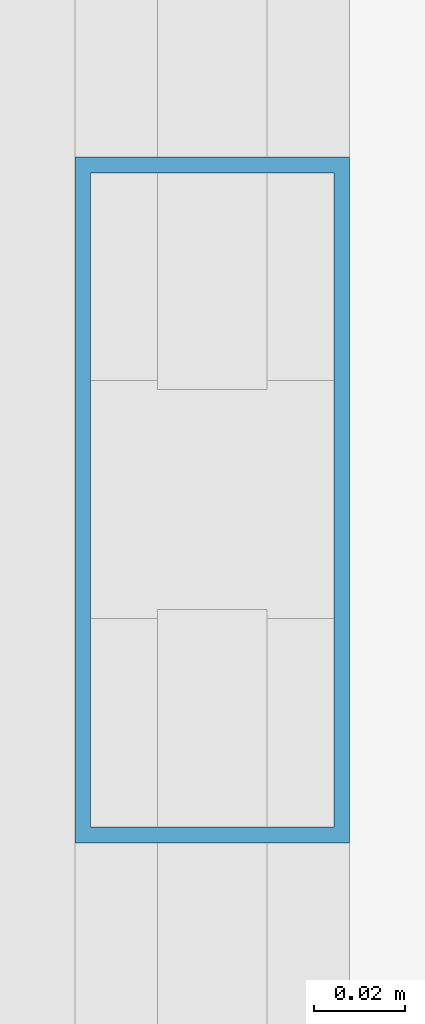
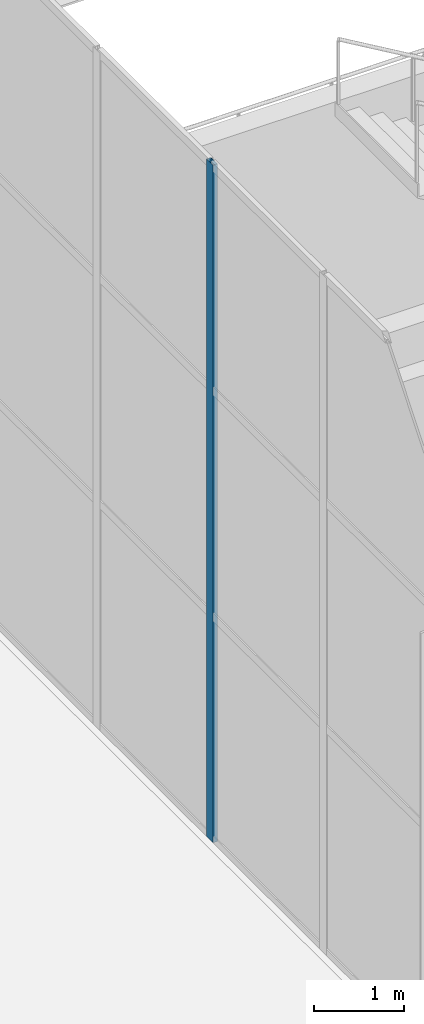
# One storey, part 87 of 191: 1 member, 1 element without a shape of its own.
"""IFC4 building model written with IfcOpenShell, lengths in metres."""

import ifcopenshell
import ifcopenshell.guid

model = None  # the IFC model being written
_history = None  # IfcOwnerHistory: only IFC2X3 demands one
_inside = {}  # id of a spatial element -> (the spatial element, [elements in it])
_under = {}  # id of a project, library or spatial element -> (it, [spatial elements below it])
_declared = {}  # id of a project -> (the project, [libraries it declares])
_typed = {}  # id of a type object -> (the type object, [elements of that type])
_made_of = {}  # id of a material, layer set ... -> (it, [elements and type objects made of it])


def new_model(schema):
    """Start an empty IFC model of exactly this schema.

    Asked for "IFC4X3", IfcOpenShell would pick the latest addendum, in which some entities
    have other attributes; the version numbers below select the first issue.
    IFC2X3 requires an IfcOwnerHistory on every rooted entity: one is made here for all.
    """
    global model, _history
    if schema == "IFC4X3":
        model = ifcopenshell.file(schema_version=(4, 3, 0, 0))
    else:
        model = ifcopenshell.file(schema=schema)
    _inside.clear()
    _under.clear()
    _declared.clear()
    _typed.clear()
    _made_of.clear()
    _history = None
    if model.schema == "IFC2X3":
        org = make("IfcOrganization", Name="unknown")
        user = make(
            "IfcPersonAndOrganization",
            ThePerson=make("IfcPerson", FamilyName="unknown"),
            TheOrganization=org,
        )
        app = make(
            "IfcApplication",
            ApplicationDeveloper=org,
            Version="unknown",
            ApplicationFullName="unknown",
            ApplicationIdentifier="unknown",
        )
        _history = make(
            "IfcOwnerHistory",
            OwningUser=user,
            OwningApplication=app,
            ChangeAction="ADDED",
            CreationDate=0,
        )
    return model


def make(cls, **values):
    """One entity of the class cls with the attributes given. An attribute that is None is left unset."""
    return model.create_entity(
        cls, **{name: value for name, value in values.items() if value is not None}
    )


def rooted(cls, **values):
    """An entity with a GlobalId (a new one), such as an element, a storey or a relation."""
    return make(cls, GlobalId=ifcopenshell.guid.new(), OwnerHistory=_history, **values)


def si_unit(unit_type, name, prefix=None):
    """IfcSIUnit, for example si_unit("LENGTHUNIT", "METRE", prefix="MILLI")."""
    return make("IfcSIUnit", UnitType=unit_type, Prefix=prefix, Name=name)


def assignment(units):
    """IfcUnitAssignment: the units of a project."""
    return None if units is None else make("IfcUnitAssignment", Units=units)


def point(xyz):
    """IfcCartesianPoint."""
    return None if xyz is None else make("IfcCartesianPoint", Coordinates=xyz)


def direction(xyz):
    """IfcDirection."""
    return None if xyz is None else make("IfcDirection", DirectionRatios=xyz)


def frame(location, z_axis=None, x_axis=None):
    """IfcAxis2Placement3D, a coordinate frame: its origin and axes. An axis left out is left unset."""
    return make(
        "IfcAxis2Placement3D",
        Location=point(location),
        Axis=direction(z_axis),
        RefDirection=direction(x_axis),
    )


def frame_2d(location, x_axis=None):
    """IfcAxis2Placement2D, a coordinate frame in the plane: its origin and x axis."""
    return make(
        "IfcAxis2Placement2D", Location=point(location), RefDirection=direction(x_axis)
    )


def origin():
    """The frame at (0, 0, 0) with its axes left unset."""
    return frame((0.0, 0.0, 0.0))


def origin_2d():
    """The frame at (0, 0) in the plane with its x axis left unset."""
    return frame_2d((0.0, 0.0))


def place(relative_to, where):
    """IfcLocalPlacement: puts the frame where relative to a parent placement (None: the world)."""
    return make(
        "IfcLocalPlacement", PlacementRelTo=relative_to, RelativePlacement=where
    )


def context(
    kind, dimensions, precision=None, world=None, true_north=None, identifier=None
):
    """IfcGeometricRepresentationContext, for example the 3D "Model" context."""
    return make(
        "IfcGeometricRepresentationContext",
        ContextIdentifier=identifier,
        ContextType=kind,
        CoordinateSpaceDimension=dimensions,
        Precision=precision,
        WorldCoordinateSystem=world,
        TrueNorth=true_north,
    )


def subcontext(parent, identifier, kind, view, scale=None):
    """IfcGeometricRepresentationSubContext, for example "Body" below "Model"."""
    return make(
        "IfcGeometricRepresentationSubContext",
        ContextIdentifier=identifier,
        ContextType=kind,
        ParentContext=parent,
        TargetScale=scale,
        TargetView=view,
    )


def project(units=None, contexts=None):
    """IfcProject with its units and contexts."""
    return rooted(
        "IfcProject",
        Name="project",
        RepresentationContexts=contexts,
        UnitsInContext=assignment(units),
    )


def spatial(cls, under=None, at=None, **own):
    """A site, building, storey or space (cls), placed at a placement, below another one or the project."""
    s = rooted(cls, ObjectPlacement=at, **own)
    if under is not None:
        _under.setdefault(under.id(), (under, []))[1].append(s)
    return s


def profile(cls, at=None, kind="AREA", **sizes):
    """A parametric profile (cls). Its sizes go by their IFC names, for example OverallWidth=200.0."""
    return make(cls, ProfileType=kind, Position=at, **sizes)


def hollow_rectangle(**sizes):
    """IfcRectangleHollowProfileDef."""
    return profile("IfcRectangleHollowProfileDef", **sizes)


def extrude(swept, where, along, depth):
    """IfcExtrudedAreaSolid: the profile swept, set in the frame where, extruded along a direction by depth."""
    return make(
        "IfcExtrudedAreaSolid",
        SweptArea=swept,
        Position=where,
        ExtrudedDirection=direction(along),
        Depth=depth,
    )


def shape(context_of_items, identifier, shape_type, items):
    """IfcShapeRepresentation: the items that make up one representation, for example the "Body"."""
    return make(
        "IfcShapeRepresentation",
        ContextOfItems=context_of_items,
        RepresentationIdentifier=identifier,
        RepresentationType=shape_type,
        Items=items,
    )


def material(Name=None, Category=None):
    """IfcMaterial."""
    return make("IfcMaterial", Name=Name, Category=Category)


def layer(
    of_material, thickness, ventilated=None, Name=None, Category=None, Priority=None
):
    """IfcMaterialLayer: one layer of a wall or slab, of a material (None: an air gap)."""
    return make(
        "IfcMaterialLayer",
        Material=of_material,
        LayerThickness=thickness,
        IsVentilated=ventilated,
        Name=Name,
        Category=Category,
        Priority=Priority,
    )


def layer_set(layers, Name=None):
    """IfcMaterialLayerSet."""
    return make("IfcMaterialLayerSet", MaterialLayers=layers, LayerSetName=Name)


def material_profile(
    of_material, cross_section, Name=None, Category=None, Priority=None
):
    """IfcMaterialProfile: a cross section and its material."""
    return make(
        "IfcMaterialProfile",
        Name=Name,
        Material=of_material,
        Profile=cross_section,
        Priority=Priority,
        Category=Category,
    )


def profile_set(profiles, Name=None, composite=None):
    """IfcMaterialProfileSet."""
    return make(
        "IfcMaterialProfileSet",
        Name=Name,
        MaterialProfiles=profiles,
        CompositeProfile=composite,
    )


def made_of(thing, what):
    """Note that an element or type object is made of a material, layer set ...; save() writes the relation."""
    if what is not None:
        _made_of.setdefault(what.id(), (what, []))[1].append(thing)
    return thing


def type_object(cls, material=None, **own):
    """A type object (cls), such as IfcWallType, which elements share."""
    return made_of(rooted(cls, **own), material)


def element(
    cls,
    number,
    at=None,
    inside=None,
    cuts=None,
    type_object=None,
    material=None,
    context=None,
    identifier="Body",
    shape_type=None,
    held_by="IfcProductDefinitionShape",
    body=None,
    shapes=None,
    **own,
):
    """One element of the class cls, such as IfcWall. Its Tag is "e" and its number.

    at: its placement. inside: the storey or other place that contains it. cuts: it is an
    opening in that element (IfcRelVoidsElement). A single representation is given by context,
    identifier, shape_type and body (its items); several are given by shapes. held_by: the class
    of the entity that holds the representations. save() writes the other relations.
    """
    e = rooted(cls, Tag="e%d" % number, ObjectPlacement=at, **own)
    if body is not None:
        shapes = [shape(context, identifier, shape_type, body)]
    if shapes is not None:
        e.Representation = make(held_by, Representations=shapes)
    if inside is not None:
        _inside.setdefault(inside.id(), (inside, []))[1].append(e)
    if cuts is not None:
        rooted(
            "IfcRelVoidsElement", RelatingBuildingElement=cuts, RelatedOpeningElement=e
        )
    if type_object is not None:
        _typed.setdefault(type_object.id(), (type_object, []))[1].append(e)
    return made_of(e, material)


def aggregate(whole, parts):
    """IfcRelAggregates: a whole, such as a stair, and the parts it consists of."""
    return rooted("IfcRelAggregates", RelatingObject=whole, RelatedObjects=parts)


def save(model, path):
    """Write the relations noted so far, then the file.

    IfcRelAggregates (storeys below a building ...), IfcRelContainedInSpatialStructure (elements
    in a storey), IfcRelDefinesByType, IfcRelAssociatesMaterial and IfcRelDeclares: one each for
    every whole, place, type object, material and project.
    """
    for whole, parts in _under.values():
        aggregate(whole, parts)
    for where, things in _inside.values():
        rooted(
            "IfcRelContainedInSpatialStructure",
            RelatedElements=things,
            RelatingStructure=where,
        )
    for kind, things in _typed.values():
        rooted("IfcRelDefinesByType", RelatedObjects=things, RelatingType=kind)
    for what, things in _made_of.values():
        rooted("IfcRelAssociatesMaterial", RelatedObjects=things, RelatingMaterial=what)
    for by, libraries in _declared.values():
        rooted("IfcRelDeclares", RelatingContext=by, RelatedDefinitions=libraries)
    model.write(path)


model = new_model("IFC4")

# Units and contexts
model_context = context("Model", 3, precision=1e-05, world=origin(), true_north=direction((0.0, 1.0)))
body_context = subcontext(model_context, "Body", "Model", "MODEL_VIEW")
ifc_project = project(units=[si_unit("LENGTHUNIT", "METRE"), si_unit("AREAUNIT", "SQUARE_METRE"), si_unit("VOLUMEUNIT", "CUBIC_METRE"), si_unit("PLANEANGLEUNIT", "RADIAN"), si_unit("MASSUNIT", "GRAM", prefix="KILO")], contexts=[model_context])

# Site, building, storey
site_placement = place(None, origin())
site = spatial("IfcSite", under=ifc_project, at=site_placement, CompositionType="ELEMENT")
building_placement = place(site_placement, origin())
building = spatial("IfcBuilding", under=site, at=building_placement, Name="Tamarisk Ironworks Central Station", CompositionType="ELEMENT")
storey_placement = place(building_placement, frame((0.0, 0.0, 6.60009765625)))
storey = spatial("IfcBuildingStorey", under=building, at=storey_placement, Name="L01", CompositionType="ELEMENT", Elevation=6.60009765625)

# Curtain wall, member
ifc_material = material(Name="Anodized aluminium alloy 6063-T6", Category="aluminium")
ifc_layer = layer(ifc_material, 0.179931640625)
ifc_layer_set = layer_set([ifc_layer], Name="Anodized aluminium alloy 6063-T6")
curtain_wall_type = type_object("IfcCurtainWallType", Name="CW-08", PredefinedType="USERDEFINED", material=ifc_layer_set)
curtain_wall_placement = place(storey_placement, origin())
curtain_wall = element("IfcCurtainWall", 1, at=curtain_wall_placement, inside=storey, type_object=curtain_wall_type, Name="Concourse W track-overlook curtain wall 07", ObjectType="GLAZED CURTAIN WALL", PredefinedType="USERDEFINED")
ifc_material_profile = material_profile(ifc_material, hollow_rectangle(XDim=0.06005859375, YDim=0.14990234375, WallThickness=0.00341796875, at=origin_2d()), Name="ALUM 150x60")
ifc_profile_set = profile_set([ifc_material_profile], Name="Anodized aluminium alloy 6063-T6")
member_type = type_object("IfcMemberType", Name="CWM-03", PredefinedType="MULLION", material=ifc_profile_set)
member_placement = place(storey_placement, frame((54.1201171875, 95.39990234375, 0.0), z_axis=(0.0, 0.0, 1.0), x_axis=(-1.0, 0.0, 0.0)))
member = element("IfcMember", 2, at=member_placement, type_object=member_type, Name="CW08 mullion 3", PredefinedType="MULLION", context=body_context, shape_type="SweptSolid", body=[
    extrude(hollow_rectangle(XDim=0.06005859375, YDim=0.14990234375, WallThickness=0.00341796875, at=origin_2d()), origin(), (0.0, 0.0, 1.0), 9.219970703125),
])
aggregate(curtain_wall, [member])

save(model, "model.ifc")
